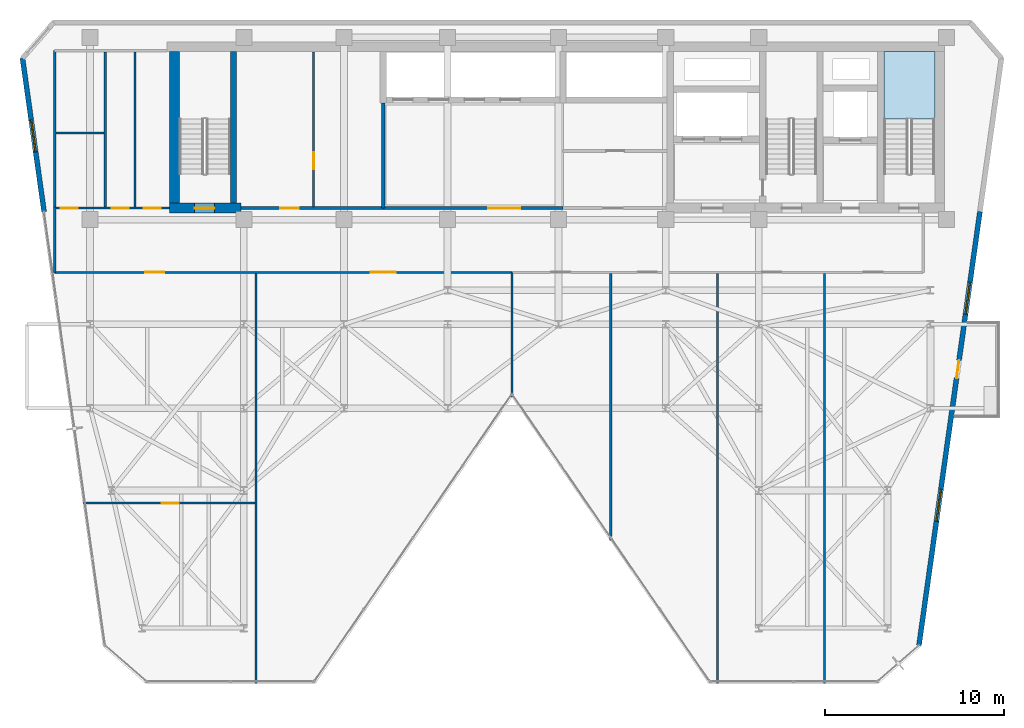
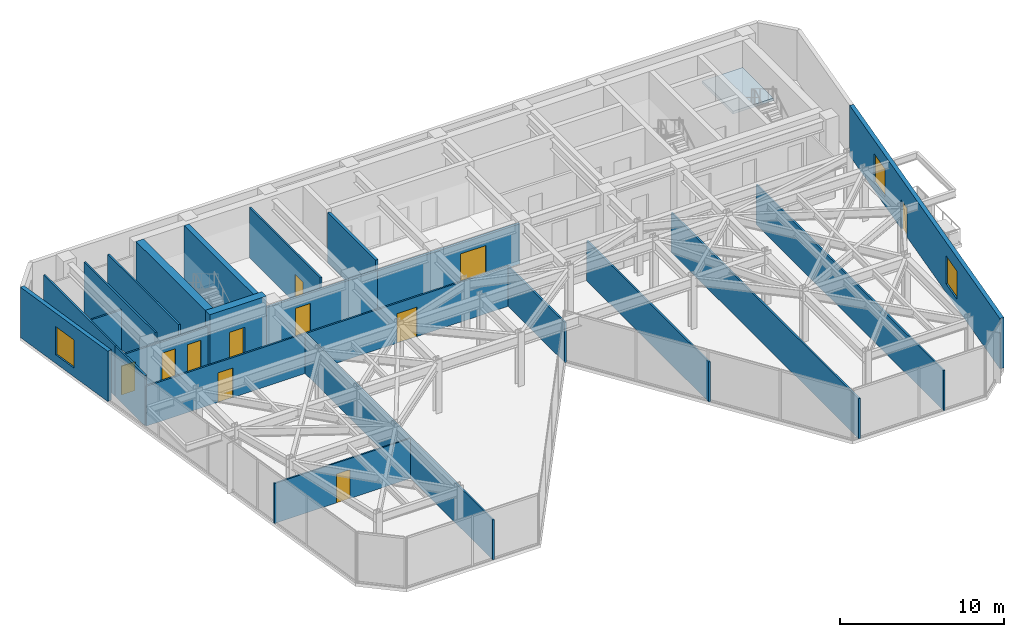
# One storey, part 22 of 26: 22 walls, 11 doors, 3 windows, 1 slab, 14 openings, 1 element without a shape of its own.
"""IFC4 building model written with IfcOpenShell, lengths in metres."""

import ifcopenshell
import ifcopenshell.guid

model = None  # the IFC model being written
_history = None  # IfcOwnerHistory: only IFC2X3 demands one
_inside = {}  # id of a spatial element -> (the spatial element, [elements in it])
_under = {}  # id of a project, library or spatial element -> (it, [spatial elements below it])
_declared = {}  # id of a project -> (the project, [libraries it declares])
_typed = {}  # id of a type object -> (the type object, [elements of that type])
_made_of = {}  # id of a material, layer set ... -> (it, [elements and type objects made of it])


def new_model(schema):
    """Start an empty IFC model of exactly this schema.

    Asked for "IFC4X3", IfcOpenShell would pick the latest addendum, in which some entities
    have other attributes; the version numbers below select the first issue.
    IFC2X3 requires an IfcOwnerHistory on every rooted entity: one is made here for all.
    """
    global model, _history
    if schema == "IFC4X3":
        model = ifcopenshell.file(schema_version=(4, 3, 0, 0))
    else:
        model = ifcopenshell.file(schema=schema)
    _inside.clear()
    _under.clear()
    _declared.clear()
    _typed.clear()
    _made_of.clear()
    _history = None
    if model.schema == "IFC2X3":
        org = make("IfcOrganization", Name="unknown")
        user = make(
            "IfcPersonAndOrganization",
            ThePerson=make("IfcPerson", FamilyName="unknown"),
            TheOrganization=org,
        )
        app = make(
            "IfcApplication",
            ApplicationDeveloper=org,
            Version="unknown",
            ApplicationFullName="unknown",
            ApplicationIdentifier="unknown",
        )
        _history = make(
            "IfcOwnerHistory",
            OwningUser=user,
            OwningApplication=app,
            ChangeAction="ADDED",
            CreationDate=0,
        )
    return model


def make(cls, **values):
    """One entity of the class cls with the attributes given. An attribute that is None is left unset."""
    return model.create_entity(
        cls, **{name: value for name, value in values.items() if value is not None}
    )


def rooted(cls, **values):
    """An entity with a GlobalId (a new one), such as an element, a storey or a relation."""
    return make(cls, GlobalId=ifcopenshell.guid.new(), OwnerHistory=_history, **values)


def si_unit(unit_type, name, prefix=None):
    """IfcSIUnit, for example si_unit("LENGTHUNIT", "METRE", prefix="MILLI")."""
    return make("IfcSIUnit", UnitType=unit_type, Prefix=prefix, Name=name)


def assignment(units):
    """IfcUnitAssignment: the units of a project."""
    return None if units is None else make("IfcUnitAssignment", Units=units)


def point(xyz):
    """IfcCartesianPoint."""
    return None if xyz is None else make("IfcCartesianPoint", Coordinates=xyz)


def direction(xyz):
    """IfcDirection."""
    return None if xyz is None else make("IfcDirection", DirectionRatios=xyz)


def frame(location, z_axis=None, x_axis=None):
    """IfcAxis2Placement3D, a coordinate frame: its origin and axes. An axis left out is left unset."""
    return make(
        "IfcAxis2Placement3D",
        Location=point(location),
        Axis=direction(z_axis),
        RefDirection=direction(x_axis),
    )


def frame_2d(location, x_axis=None):
    """IfcAxis2Placement2D, a coordinate frame in the plane: its origin and x axis."""
    return make(
        "IfcAxis2Placement2D", Location=point(location), RefDirection=direction(x_axis)
    )


def origin():
    """The frame at (0, 0, 0) with its axes left unset."""
    return frame((0.0, 0.0, 0.0))


def place(relative_to, where):
    """IfcLocalPlacement: puts the frame where relative to a parent placement (None: the world)."""
    return make(
        "IfcLocalPlacement", PlacementRelTo=relative_to, RelativePlacement=where
    )


def context(
    kind, dimensions, precision=None, world=None, true_north=None, identifier=None
):
    """IfcGeometricRepresentationContext, for example the 3D "Model" context."""
    return make(
        "IfcGeometricRepresentationContext",
        ContextIdentifier=identifier,
        ContextType=kind,
        CoordinateSpaceDimension=dimensions,
        Precision=precision,
        WorldCoordinateSystem=world,
        TrueNorth=true_north,
    )


def subcontext(parent, identifier, kind, view, scale=None):
    """IfcGeometricRepresentationSubContext, for example "Body" below "Model"."""
    return make(
        "IfcGeometricRepresentationSubContext",
        ContextIdentifier=identifier,
        ContextType=kind,
        ParentContext=parent,
        TargetScale=scale,
        TargetView=view,
    )


def project(units=None, contexts=None):
    """IfcProject with its units and contexts."""
    return rooted(
        "IfcProject",
        Name="project",
        RepresentationContexts=contexts,
        UnitsInContext=assignment(units),
    )


def spatial(cls, under=None, at=None, **own):
    """A site, building, storey or space (cls), placed at a placement, below another one or the project."""
    s = rooted(cls, ObjectPlacement=at, **own)
    if under is not None:
        _under.setdefault(under.id(), (under, []))[1].append(s)
    return s


def polyline(points):
    """IfcPolyline through the points."""
    return make("IfcPolyline", Points=[point(p) for p in points])


def profile(cls, at=None, kind="AREA", **sizes):
    """A parametric profile (cls). Its sizes go by their IFC names, for example OverallWidth=200.0."""
    return make(cls, ProfileType=kind, Position=at, **sizes)


def rectangle(**sizes):
    """IfcRectangleProfileDef."""
    return profile("IfcRectangleProfileDef", **sizes)


def outline(outer, holes=None, kind="AREA"):
    """IfcArbitraryClosedProfileDef: a profile drawn as a closed curve; with holes, ...WithVoids."""
    if holes is None:
        return make("IfcArbitraryClosedProfileDef", ProfileType=kind, OuterCurve=outer)
    return make(
        "IfcArbitraryProfileDefWithVoids",
        ProfileType=kind,
        OuterCurve=outer,
        InnerCurves=holes,
    )


def extrude(swept, where, along, depth):
    """IfcExtrudedAreaSolid: the profile swept, set in the frame where, extruded along a direction by depth."""
    return make(
        "IfcExtrudedAreaSolid",
        SweptArea=swept,
        Position=where,
        ExtrudedDirection=direction(along),
        Depth=depth,
    )


def shape(context_of_items, identifier, shape_type, items):
    """IfcShapeRepresentation: the items that make up one representation, for example the "Body"."""
    return make(
        "IfcShapeRepresentation",
        ContextOfItems=context_of_items,
        RepresentationIdentifier=identifier,
        RepresentationType=shape_type,
        Items=items,
    )


def material(Name=None, Category=None):
    """IfcMaterial."""
    return make("IfcMaterial", Name=Name, Category=Category)


def layer(
    of_material, thickness, ventilated=None, Name=None, Category=None, Priority=None
):
    """IfcMaterialLayer: one layer of a wall or slab, of a material (None: an air gap)."""
    return make(
        "IfcMaterialLayer",
        Material=of_material,
        LayerThickness=thickness,
        IsVentilated=ventilated,
        Name=Name,
        Category=Category,
        Priority=Priority,
    )


def layer_set(layers, Name=None):
    """IfcMaterialLayerSet."""
    return make("IfcMaterialLayerSet", MaterialLayers=layers, LayerSetName=Name)


def made_of(thing, what):
    """Note that an element or type object is made of a material, layer set ...; save() writes the relation."""
    if what is not None:
        _made_of.setdefault(what.id(), (what, []))[1].append(thing)
    return thing


def type_object(cls, material=None, **own):
    """A type object (cls), such as IfcWallType, which elements share."""
    return made_of(rooted(cls, **own), material)


def element(
    cls,
    number,
    at=None,
    inside=None,
    cuts=None,
    type_object=None,
    material=None,
    context=None,
    identifier="Body",
    shape_type=None,
    held_by="IfcProductDefinitionShape",
    body=None,
    shapes=None,
    **own,
):
    """One element of the class cls, such as IfcWall. Its Tag is "e" and its number.

    at: its placement. inside: the storey or other place that contains it. cuts: it is an
    opening in that element (IfcRelVoidsElement). A single representation is given by context,
    identifier, shape_type and body (its items); several are given by shapes. held_by: the class
    of the entity that holds the representations. save() writes the other relations.
    """
    e = rooted(cls, Tag="e%d" % number, ObjectPlacement=at, **own)
    if body is not None:
        shapes = [shape(context, identifier, shape_type, body)]
    if shapes is not None:
        e.Representation = make(held_by, Representations=shapes)
    if inside is not None:
        _inside.setdefault(inside.id(), (inside, []))[1].append(e)
    if cuts is not None:
        rooted(
            "IfcRelVoidsElement", RelatingBuildingElement=cuts, RelatedOpeningElement=e
        )
    if type_object is not None:
        _typed.setdefault(type_object.id(), (type_object, []))[1].append(e)
    return made_of(e, material)


def fill(opening, filler):
    """IfcRelFillsElement: the door or window that sits in an opening."""
    return rooted(
        "IfcRelFillsElement",
        RelatingOpeningElement=opening,
        RelatedBuildingElement=filler,
    )


def aggregate(whole, parts):
    """IfcRelAggregates: a whole, such as a stair, and the parts it consists of."""
    return rooted("IfcRelAggregates", RelatingObject=whole, RelatedObjects=parts)


def save(model, path):
    """Write the relations noted so far, then the file.

    IfcRelAggregates (storeys below a building ...), IfcRelContainedInSpatialStructure (elements
    in a storey), IfcRelDefinesByType, IfcRelAssociatesMaterial and IfcRelDeclares: one each for
    every whole, place, type object, material and project.
    """
    for whole, parts in _under.values():
        aggregate(whole, parts)
    for where, things in _inside.values():
        rooted(
            "IfcRelContainedInSpatialStructure",
            RelatedElements=things,
            RelatingStructure=where,
        )
    for kind, things in _typed.values():
        rooted("IfcRelDefinesByType", RelatedObjects=things, RelatingType=kind)
    for what, things in _made_of.values():
        rooted("IfcRelAssociatesMaterial", RelatedObjects=things, RelatingMaterial=what)
    for by, libraries in _declared.values():
        rooted("IfcRelDeclares", RelatingContext=by, RelatedDefinitions=libraries)
    model.write(path)


model = new_model("IFC4")

# Units and contexts
model_context = context("Model", 3, precision=1e-05, world=origin(), true_north=direction((0.0, 1.0)))
body_context = subcontext(model_context, "Body", "Model", "MODEL_VIEW")
ifc_project = project(units=[si_unit("LENGTHUNIT", "METRE"), si_unit("AREAUNIT", "SQUARE_METRE"), si_unit("VOLUMEUNIT", "CUBIC_METRE"), si_unit("PLANEANGLEUNIT", "RADIAN"), si_unit("MASSUNIT", "GRAM", prefix="KILO")], contexts=[model_context])

# Site, building, storey
site_placement = place(None, origin())
site = spatial("IfcSite", under=ifc_project, at=site_placement, CompositionType="ELEMENT")
building_placement = place(site_placement, origin())
building = spatial("IfcBuilding", under=site, at=building_placement, Name="Kravanh Interchange Tower", CompositionType="ELEMENT")
storey_placement = place(building_placement, frame((0.0, 0.0, 172.5)))
storey = spatial("IfcBuildingStorey", under=building, at=storey_placement, Name="L41", CompositionType="ELEMENT", Elevation=172.5)

# Stair, slab
ifc_material_1 = material(Name="Concrete C50/60", Category="concrete")
stair_type = type_object("IfcStairType", Name="Core Fire Exit Dogleg Stair Concrete C50/60", PredefinedType="HALF_TURN_STAIR", material=ifc_material_1)
stair_placement = place(storey_placement, origin())
stair = element("IfcStair", 1, at=stair_placement, inside=storey, type_object=stair_type, Name="L41 Exit Stair ST1", PredefinedType="HALF_TURN_STAIR")
ifc_material_2 = material(Name="Concrete C50/60", Category="concrete")
ifc_layer_1 = layer(ifc_material_2, 0.199951171875)
ifc_layer_set_1 = layer_set([ifc_layer_1], Name="Concrete C50/60 Stair Half-Landing Slab 200mm")
slab_type = type_object("IfcSlabType", Name="Concrete C50/60 Stair Half-Landing Slab 200mm", PredefinedType="LANDING", material=ifc_layer_set_1)
slab_placement = place(storey_placement, frame((0.0, 0.0, 1.800048828125)))
slab = element("IfcSlab", 2, at=slab_placement, type_object=slab_type, Name="ST1 landing 1", PredefinedType="LANDING", context=body_context, shape_type="SweptSolid", body=[
    extrude(outline(polyline([(65.85009765625, 42.97998046875), (65.85009765625, 46.75), (63.0, 46.75), (63.0, 42.97998046875), (65.85009765625, 42.97998046875)])), origin(), (0.0, 0.0, 1.0), 0.199951171875),
])
aggregate(stair, [slab])

# Wall, opening, door
ifc_material_3 = material(Name="Double Acoustic Gypsum Board and Mineral Wool")
ifc_layer_2 = layer(ifc_material_3, 0.1201171875)
ifc_layer_set_2 = layer_set([ifc_layer_2], Name="Acoustic Office Drywall Partition 120mm")
wall_type_1 = type_object("IfcWallType", Name="Acoustic Office Drywall Partition 120mm", PredefinedType="PARTITIONING", material=ifc_layer_set_2)
wall_1_placement = place(storey_placement, frame((31.10009765625, 38.068115234375, 0.0), z_axis=(0.0, 0.0, 1.0), x_axis=(0.0, 1.0, 0.0)))
wall_1 = element("IfcWall", 3, at=wall_1_placement, inside=storey, type_object=wall_type_1, Name="L41 Interior Partition 5", PredefinedType="PARTITIONING", context=body_context, shape_type="SweptSolid", body=[
    extrude(rectangle(XDim=8.673828125, YDim=0.1201171875, at=frame_2d((4.3369140625, 0.0))), origin(), (0.0, 0.0, 1.0), 3.7548828125),
])
opening_1_placement = place(wall_1_placement, frame((2.115966796875, 0.0, 0.0)))
opening_1 = element("IfcOpeningElement", 4, at=opening_1_placement, cuts=wall_1, Name="Opening D-95", PredefinedType="OPENING", context=body_context, shape_type="SweptSolid", body=[
    extrude(rectangle(XDim=0.949951171875, YDim=2.14990234375, at=frame_2d((0.47509765625, 1.074951171875))), frame((0.0, 0.070068359375, 0.0), z_axis=(0.0, -1.0, 0.0), x_axis=(1.0, 0.0, 0.0)), (0.0, 0.0, 1.0), 0.14013671875),
])
ifc_material_4 = material(Name="Laminate Solid-Core Timber", Category="wood")
door_type_1 = type_object("IfcDoorType", Name="Accessible Restroom Door 950x2150", OperationType="NOTDEFINED", PredefinedType="DOOR", material=ifc_material_4)
door_1_placement = place(opening_1_placement, origin())
door_1 = element("IfcDoor", 5, at=door_1_placement, inside=storey, type_object=door_type_1, Name="L41 Reclaimed Archive Inner Door", OperationType="SINGLE_SWING_LEFT", OverallHeight=2.14990234375, OverallWidth=0.949951171875, PredefinedType="DOOR", context=body_context, shape_type="SweptSolid", body=[
    extrude(rectangle(XDim=0.949951171875, YDim=2.14990234375, at=frame_2d((0.47509765625, 1.074951171875))), frame((0.0, 0.02490234375, 0.0), z_axis=(0.0, -1.0, 0.0), x_axis=(1.0, 0.0, 0.0)), (0.0, 0.0, 1.0), 0.050048828125),
])
fill(opening_1, door_1)

# Wall, openings, doors
wall_2_placement = place(storey_placement, frame((16.6201171875, 38.0, 0.0), z_axis=(0.0, 0.0, 1.0), x_axis=(1.0, 0.0, 0.0)))
wall_2 = element("IfcWall", 6, at=wall_2_placement, inside=storey, type_object=wall_type_1, Name="L41 Restroom Corridor Wall 7", PredefinedType="PARTITIONING", context=body_context, shape_type="SweptSolid", body=[
    extrude(rectangle(XDim=6.429931640625, YDim=0.1201171875, at=frame_2d((3.21484375, 0.0))), origin(), (0.0, 0.0, 1.0), 2.98193359375),
])
opening_2_placement = place(wall_2_placement, frame((0.348876953125, 0.0, 0.0)))
opening_2 = element("IfcOpeningElement", 7, at=opening_2_placement, cuts=wall_2, Name="Opening D-95", PredefinedType="OPENING", context=body_context, shape_type="SweptSolid", body=[
    extrude(rectangle(XDim=0.949951171875, YDim=2.14990234375, at=frame_2d((0.47509765625, 1.074951171875))), frame((0.0, 0.070068359375, 0.0), z_axis=(0.0, -1.0, 0.0), x_axis=(1.0, 0.0, 0.0)), (0.0, 0.0, 1.0), 0.14013671875),
])
opening_3_placement = place(wall_2_placement, frame((3.18505859375, 0.0, 0.0)))
opening_3 = element("IfcOpeningElement", 8, at=opening_3_placement, cuts=wall_2, Name="Opening D-95", PredefinedType="OPENING", context=body_context, shape_type="SweptSolid", body=[
    extrude(rectangle(XDim=0.949951171875, YDim=2.14990234375, at=frame_2d((0.47509765625, 1.074951171875))), frame((0.0, 0.070068359375, 0.0), z_axis=(0.0, -1.0, 0.0), x_axis=(1.0, 0.0, 0.0)), (0.0, 0.0, 1.0), 0.14013671875),
])
opening_4_placement = place(wall_2_placement, frame((4.97509765625, 0.0, 0.0)))
opening_4 = element("IfcOpeningElement", 9, at=opening_4_placement, cuts=wall_2, Name="Opening D-95", PredefinedType="OPENING", context=body_context, shape_type="SweptSolid", body=[
    extrude(rectangle(XDim=0.949951171875, YDim=2.14990234375, at=frame_2d((0.47509765625, 1.074951171875))), frame((0.0, 0.070068359375, 0.0), z_axis=(0.0, -1.0, 0.0), x_axis=(1.0, 0.0, 0.0)), (0.0, 0.0, 1.0), 0.14013671875),
])
door_2_placement = place(opening_2_placement, origin())
door_2 = element("IfcDoor", 10, at=door_2_placement, inside=storey, type_object=door_type_1, Name="L41 Accessible WC Door", OperationType="SINGLE_SWING_RIGHT", OverallHeight=2.14990234375, OverallWidth=0.949951171875, PredefinedType="DOOR", context=body_context, shape_type="SweptSolid", body=[
    extrude(rectangle(XDim=0.949951171875, YDim=2.14990234375, at=frame_2d((0.47509765625, 1.074951171875))), frame((0.0, 0.02490234375, 0.0), z_axis=(0.0, -1.0, 0.0), x_axis=(1.0, 0.0, 0.0)), (0.0, 0.0, 1.0), 0.050048828125),
])
fill(opening_2, door_2)
door_3_placement = place(opening_3_placement, origin())
door_3 = element("IfcDoor", 11, at=door_3_placement, inside=storey, type_object=door_type_1, Name="L41 Female WC Door", OperationType="SINGLE_SWING_LEFT", OverallHeight=2.14990234375, OverallWidth=0.949951171875, PredefinedType="DOOR", context=body_context, shape_type="SweptSolid", body=[
    extrude(rectangle(XDim=0.949951171875, YDim=2.14990234375, at=frame_2d((0.47509765625, 1.074951171875))), frame((0.0, 0.02490234375, 0.0), z_axis=(0.0, -1.0, 0.0), x_axis=(1.0, 0.0, 0.0)), (0.0, 0.0, 1.0), 0.050048828125),
])
fill(opening_3, door_3)
door_4_placement = place(opening_4_placement, origin())
door_4 = element("IfcDoor", 12, at=door_4_placement, inside=storey, type_object=door_type_1, Name="L41 Male WC Door", OperationType="SINGLE_SWING_RIGHT", OverallHeight=2.14990234375, OverallWidth=0.949951171875, PredefinedType="DOOR", context=body_context, shape_type="SweptSolid", body=[
    extrude(rectangle(XDim=0.949951171875, YDim=2.14990234375, at=frame_2d((0.47509765625, 1.074951171875))), frame((0.0, 0.02490234375, 0.0), z_axis=(0.0, -1.0, 0.0), x_axis=(1.0, 0.0, 0.0)), (0.0, 0.0, 1.0), 0.050048828125),
])
fill(opening_4, door_4)

# Walls
wall_3_placement = place(storey_placement, frame((16.6201171875, 38.0, 0.0), z_axis=(0.0, 0.0, 1.0), x_axis=(0.0, 1.0, 0.0)))
element("IfcWall", 13, at=wall_3_placement, inside=storey, type_object=wall_type_1, Name="L41 Restroom West Enclosure 8", PredefinedType="PARTITIONING", context=body_context, shape_type="SweptSolid", body=[
    extrude(rectangle(XDim=8.800048828125, YDim=0.1201171875, at=frame_2d((4.39990234375, 0.0))), origin(), (0.0, 0.0, 1.0), 3.7548828125),
])
for number, where, z_axis, x_axis, name in (
    (14, (19.449951171875, 38.068115234375, 0.0), (0.0, 0.0, 1.0), (0.0, 1.0, 0.0), "L41 Interior Partition 10"),
    (15, (21.110107421875, 38.068115234375, 0.0), (0.0, 0.0, 1.0), (0.0, 1.0, 0.0), "L41 Interior Partition 11"),
):
    element("IfcWall", number, at=place(storey_placement, frame(where, z_axis=z_axis, x_axis=x_axis)), inside=storey, type_object=wall_type_1, Name=name, PredefinedType="PARTITIONING", context=body_context, shape_type="SweptSolid", body=[
        extrude(rectangle(XDim=8.663818359375, YDim=0.1201171875, at=frame_2d((4.33203125, 0.0))), origin(), (0.0, 0.0, 1.0), 3.7548828125),
    ])
wall_4_placement = place(storey_placement, frame((16.68798828125, 42.199951171875, 0.0), z_axis=(0.0, 0.0, 1.0), x_axis=(1.0, 0.0, 0.0)))
element("IfcWall", 16, at=wall_4_placement, inside=storey, type_object=wall_type_1, Name="L41 Interior Partition 12", PredefinedType="PARTITIONING", context=body_context, shape_type="SweptSolid", body=[
    extrude(rectangle(XDim=2.694091796875, YDim=0.1201171875, at=frame_2d((1.34716796875, 0.0))), origin(), (0.0, 0.0, 1.0), 2.98193359375),
])

# Wall, openings, doors
wall_5_placement = place(storey_placement, frame((16.6201171875, 34.39990234375, 0.0), z_axis=(0.0, 0.0, 1.0), x_axis=(1.0, 0.0, 0.0)))
wall_5 = element("IfcWall", 17, at=wall_5_placement, inside=storey, type_object=wall_type_1, Name="L41 Interior Partition 13", PredefinedType="PARTITIONING", context=body_context, shape_type="SweptSolid", body=[
    extrude(rectangle(XDim=25.579833984375, YDim=0.1201171875, at=frame_2d((12.7900390625, 0.0))), origin(), (0.0, 0.0, 1.0), 2.98193359375),
])
opening_5_placement = place(wall_5_placement, frame((5.06494140625, 0.0, 0.0)))
opening_5 = element("IfcOpeningElement", 18, at=opening_5_placement, cuts=wall_5, Name="Opening D-105", PredefinedType="OPENING", context=body_context, shape_type="SweptSolid", body=[
    extrude(rectangle(XDim=1.050048828125, YDim=2.199951171875, at=frame_2d((0.52490234375, 1.10009765625))), frame((0.0, 0.070068359375, 0.0), z_axis=(0.0, -1.0, 0.0), x_axis=(1.0, 0.0, 0.0)), (0.0, 0.0, 1.0), 0.14013671875),
])
opening_6_placement = place(wall_5_placement, frame((17.679931640625, 0.0, 0.0)))
opening_6 = element("IfcOpeningElement", 19, at=opening_6_placement, cuts=wall_5, Name="Opening DBL-140", PredefinedType="OPENING", context=body_context, shape_type="SweptSolid", body=[
    extrude(rectangle(XDim=1.39990234375, YDim=2.199951171875, at=frame_2d((0.699951171875, 1.10009765625))), frame((0.0, 0.070068359375, 0.0), z_axis=(0.0, -1.0, 0.0), x_axis=(1.0, 0.0, 0.0)), (0.0, 0.0, 1.0), 0.14013671875),
])
ifc_material_5 = material(Name="Acoustic Bronze-Framed Glass", Category="glass")
door_type_2 = type_object("IfcDoorType", Name="Hospitality Lounge Double Door 1400x2200", OperationType="DOUBLE_DOOR_SINGLE_SWING", PredefinedType="DOOR", material=ifc_material_5)
door_5_placement = place(opening_6_placement, origin())
door_5 = element("IfcDoor", 20, at=door_5_placement, inside=storey, type_object=door_type_2, Name="L41 Econometric Study A Door", OperationType="DOUBLE_DOOR_SINGLE_SWING", OverallHeight=2.199951171875, OverallWidth=1.39990234375, PredefinedType="DOOR", context=body_context, shape_type="SweptSolid", body=[
    extrude(rectangle(XDim=1.39990234375, YDim=2.199951171875, at=frame_2d((0.699951171875, 1.10009765625))), frame((0.0, 0.02490234375, 0.0), z_axis=(0.0, -1.0, 0.0), x_axis=(1.0, 0.0, 0.0)), (0.0, 0.0, 1.0), 0.050048828125),
])
fill(opening_6, door_5)
ifc_material_6 = material(Name="Acoustic Glazed Oak and Aluminium", Category="aluminium")
door_type_3 = type_object("IfcDoorType", Name="Office Workplace Door 1050x2200", OperationType="NOTDEFINED", PredefinedType="DOOR", material=ifc_material_6)
door_6_placement = place(opening_5_placement, origin())
door_6 = element("IfcDoor", 21, at=door_6_placement, inside=storey, type_object=door_type_3, Name="L41 West Salon Lounge Door", OperationType="SINGLE_SWING_LEFT", OverallHeight=2.199951171875, OverallWidth=1.050048828125, PredefinedType="DOOR", context=body_context, shape_type="SweptSolid", body=[
    extrude(rectangle(XDim=1.050048828125, YDim=2.199951171875, at=frame_2d((0.52490234375, 1.10009765625))), frame((0.0, 0.02490234375, 0.0), z_axis=(0.0, -1.0, 0.0), x_axis=(1.0, 0.0, 0.0)), (0.0, 0.0, 1.0), 0.050048828125),
])
fill(opening_5, door_6)

# Walls
wall_6_placement = place(storey_placement, frame((16.6201171875, 34.39990234375, 0.0), z_axis=(0.0, 0.0, 1.0), x_axis=(0.0, 1.0, 0.0)))
element("IfcWall", 22, at=wall_6_placement, inside=storey, type_object=wall_type_1, Name="L41 Interior Partition 15", PredefinedType="PARTITIONING", context=body_context, shape_type="SweptSolid", body=[
    extrude(rectangle(XDim=3.650146484375, YDim=0.1201171875, at=frame_2d((1.8251953125, 0.0))), origin(), (0.0, 0.0, 1.0), 3.7548828125),
])
wall_7_placement = place(storey_placement, frame((42.199951171875, 27.426513671875, 0.0), z_axis=(0.0, 0.0, 1.0), x_axis=(0.0, 1.0, 0.0)))
element("IfcWall", 23, at=wall_7_placement, inside=storey, type_object=wall_type_1, Name="L41 Interior Partition 17", PredefinedType="PARTITIONING", context=body_context, shape_type="SweptSolid", body=[
    extrude(rectangle(XDim=6.973388671875, YDim=0.1201171875, at=frame_2d((3.48681640625, 0.0))), origin(), (0.0, 0.0, 1.0), 2.98193359375),
])
wall_8_placement = place(storey_placement, frame((27.8798828125, 11.4150390625, 0.0), z_axis=(0.0, 0.0, 1.0), x_axis=(0.0, 1.0, 0.0)))
element("IfcWall", 24, at=wall_8_placement, inside=storey, type_object=wall_type_1, Name="L41 Interior Partition 19", PredefinedType="PARTITIONING", context=body_context, shape_type="SweptSolid", body=[
    extrude(rectangle(XDim=22.9169921875, YDim=0.1201171875, at=frame_2d((11.45849609375, 0.0))), origin(), (0.0, 0.0, 1.0), 2.98193359375),
])
wall_9_placement = place(storey_placement, frame((47.719970703125, 19.3974609375, 0.0), z_axis=(0.0, 0.0, 1.0), x_axis=(0.0, 1.0, 0.0)))
element("IfcWall", 25, at=wall_9_placement, inside=storey, type_object=wall_type_1, Name="L41 Interior Partition 20", PredefinedType="PARTITIONING", context=body_context, shape_type="SweptSolid", body=[
    extrude(rectangle(XDim=14.9345703125, YDim=0.1201171875, at=frame_2d((7.46728515625, 0.0))), origin(), (0.0, 0.0, 1.0), 2.98193359375),
])
for number, where, z_axis, x_axis, name in (
    (26, (53.699951171875, 11.4150390625, 0.0), (0.0, 0.0, 1.0), (0.0, 1.0, 0.0), "L41 Interior Partition 21"),
    (27, (59.679931640625, 11.4150390625, 0.0), (0.0, 0.0, 1.0), (0.0, 1.0, 0.0), "L41 Interior Partition 22"),
):
    element("IfcWall", number, at=place(storey_placement, frame(where, z_axis=z_axis, x_axis=x_axis)), inside=storey, type_object=wall_type_1, Name=name, PredefinedType="PARTITIONING", context=body_context, shape_type="SweptSolid", body=[
        extrude(rectangle(XDim=22.9169921875, YDim=0.1201171875, at=frame_2d((11.45849609375, 0.0))), origin(), (0.0, 0.0, 1.0), 2.98193359375),
    ])
ifc_material_7 = material(Name="Concrete C60/75", Category="concrete")
ifc_layer_3 = layer(ifc_material_7, 0.35009765625)
ifc_layer_set_3 = layer_set([ifc_layer_3], Name="Core Shear Wall Concrete C60/75 350mm")
wall_type_2 = type_object("IfcWallType", Name="Core Shear Wall Concrete C60/75 350mm", PredefinedType="SHEAR", material=ifc_layer_set_3)
wall_10_placement = place(storey_placement, frame((26.625, 38.27490234375, 0.0), z_axis=(0.0, 0.0, 1.0), x_axis=(0.0, 1.0, 0.0)))
element("IfcWall", 28, at=wall_10_placement, inside=storey, type_object=wall_type_2, Name="L41 Stair ST3 East Shear Wall", PredefinedType="SHEAR", context=body_context, shape_type="SweptSolid", body=[
    extrude(rectangle(XDim=8.47509765625, YDim=0.35009765625, at=frame_2d((4.237548828125, 0.0))), origin(), (0.0, 0.0, 1.0), 4.0),
])

# Wall, opening, door
ifc_material_8 = material(Name="Concrete C70/85", Category="concrete")
ifc_layer_4 = layer(ifc_material_8, 0.550048828125)
ifc_layer_set_4 = layer_set([ifc_layer_4], Name="Core Shear Wall Concrete C70/85 550mm")
wall_type_3 = type_object("IfcWallType", Name="Core Shear Wall Concrete C70/85 550mm", PredefinedType="SHEAR", material=ifc_layer_set_4)
wall_11_placement = place(storey_placement, frame((23.050048828125, 38.0, 0.0), z_axis=(0.0, 0.0, 1.0), x_axis=(1.0, 0.0, 0.0)))
wall_11 = element("IfcWall", 29, at=wall_11_placement, inside=storey, type_object=wall_type_3, Name="L41 Stair ST3 South Shear Wall", PredefinedType="SHEAR", context=body_context, shape_type="SweptSolid", body=[
    extrude(rectangle(XDim=4.0, YDim=0.550048828125, at=frame_2d((2.0, 0.0))), origin(), (0.0, 0.0, 1.0), 4.0),
])
opening_7_placement = place(wall_11_placement, frame((1.39990234375, 0.0, 0.0)))
opening_7 = element("IfcOpeningElement", 30, at=opening_7_placement, cuts=wall_11, Name="Opening D-STAIR-110", PredefinedType="OPENING", context=body_context, shape_type="SweptSolid", body=[
    extrude(rectangle(XDim=1.10009765625, YDim=2.199951171875, at=frame_2d((0.550048828125, 1.10009765625))), frame((0.0, 0.28515625, 0.0), z_axis=(0.0, -1.0, 0.0), x_axis=(1.0, 0.0, 0.0)), (0.0, 0.0, 1.0), 0.570068359375),
])
ifc_material_9 = material(Name="Structural Steel S355", Category="steel")
door_type_4 = type_object("IfcDoorType", Name="Fire-Rated Exit Stair Door 1100x2200", OperationType="NOTDEFINED", PredefinedType="DOOR", material=ifc_material_9)
door_7_placement = place(opening_7_placement, origin())
door_7 = element("IfcDoor", 31, at=door_7_placement, inside=storey, type_object=door_type_4, Name="L41 Exit Stair ST3 Door", OperationType="SINGLE_SWING_RIGHT", OverallHeight=2.199951171875, OverallWidth=1.10009765625, PredefinedType="DOOR", context=body_context, shape_type="SweptSolid", body=[
    extrude(rectangle(XDim=1.10009765625, YDim=2.199951171875, at=frame_2d((0.550048828125, 1.10009765625))), frame((0.0, 0.02490234375, 0.0), z_axis=(0.0, -1.0, 0.0), x_axis=(1.0, 0.0, 0.0)), (0.0, 0.0, 1.0), 0.050048828125),
])
fill(opening_7, door_7)

# Wall
wall_12_placement = place(storey_placement, frame((23.324951171875, 38.27490234375, 0.0), z_axis=(0.0, 0.0, 1.0), x_axis=(0.0, 1.0, 0.0)))
element("IfcWall", 32, at=wall_12_placement, inside=storey, type_object=wall_type_3, Name="L41 Stair ST3 West Shear Wall", PredefinedType="SHEAR", context=body_context, shape_type="SweptSolid", body=[
    extrude(rectangle(XDim=8.47509765625, YDim=0.550048828125, at=frame_2d((4.237548828125, 0.0))), origin(), (0.0, 0.0, 1.0), 4.0),
])

# Wall, opening, door
ifc_material_10 = material(Name="Moisture-Resistant Gypsum Board and Mineral Wool")
ifc_layer_5 = layer(ifc_material_10, 0.10009765625)
ifc_layer_set_5 = layer_set([ifc_layer_5], Name="En-Suite Moisture-Resistant Partition 100mm")
wall_type_4 = type_object("IfcWallType", Name="En-Suite Moisture-Resistant Partition 100mm", PredefinedType="PARTITIONING", material=ifc_layer_set_5)
wall_13_placement = place(storey_placement, frame((18.209716796875, 21.5, 0.0), z_axis=(0.0, 0.0, 1.0), x_axis=(1.0, 0.0, 0.0)))
wall_13 = element("IfcWall", 33, at=wall_13_placement, inside=storey, type_object=wall_type_4, Name="L41 Interior Partition 18", PredefinedType="PARTITIONING", context=body_context, shape_type="SweptSolid", body=[
    extrude(rectangle(XDim=9.602294921875, YDim=0.10009765625, at=frame_2d((4.80126953125, 0.0))), origin(), (0.0, 0.0, 1.0), 2.98193359375),
])
opening_8_placement = place(wall_13_placement, frame((4.400146484375, 0.0, 0.0)))
opening_8 = element("IfcOpeningElement", 34, at=opening_8_placement, cuts=wall_13, Name="Opening D-95", PredefinedType="OPENING", context=body_context, shape_type="SweptSolid", body=[
    extrude(rectangle(XDim=0.949951171875, YDim=2.14990234375, at=frame_2d((0.47509765625, 1.074951171875))), frame((0.0, 0.06005859375, 0.0), z_axis=(0.0, -1.0, 0.0), x_axis=(1.0, 0.0, 0.0)), (0.0, 0.0, 1.0), 0.1201171875),
])
door_8_placement = place(opening_8_placement, origin())
door_8 = element("IfcDoor", 35, at=door_8_placement, inside=storey, type_object=door_type_1, Name="L41 Coffee Kitchenette Inner Door", OperationType="SINGLE_SWING_RIGHT", OverallHeight=2.14990234375, OverallWidth=0.949951171875, PredefinedType="DOOR", context=body_context, shape_type="SweptSolid", body=[
    extrude(rectangle(XDim=0.949951171875, YDim=2.14990234375, at=frame_2d((0.47509765625, 1.074951171875))), frame((0.0, 0.02490234375, 0.0), z_axis=(0.0, -1.0, 0.0), x_axis=(1.0, 0.0, 0.0)), (0.0, 0.0, 1.0), 0.050048828125),
])
fill(opening_8, door_8)

# Wall, opening, window
ifc_material_11 = material(Name="Insulated Precast Concrete C40/50 with Bronze Cladding", Category="concrete")
ifc_layer_6 = layer(ifc_material_11, 0.280029296875)
ifc_layer_set_6 = layer_set([ifc_layer_6], Name="Exterior Insulated Concrete C40/50 Bronze Spandrel Wall 280mm")
wall_type_5 = type_object("IfcWallType", Name="Exterior Insulated Concrete C40/50 Bronze Spandrel Wall 280mm", PredefinedType="STANDARD", material=ifc_layer_set_6)
wall_14_placement = place(storey_placement, frame((16.02490234375, 37.800048828125, 0.0), z_axis=(0.0, 0.0, 1.0), x_axis=(-0.13918102754, 0.990266954701, 0.0)))
wall_14 = element("IfcWall", 36, at=wall_14_placement, inside=storey, type_object=wall_type_5, Name="L41 Exterior Wall 1", PredefinedType="STANDARD", context=body_context, shape_type="SweptSolid", body=[
    extrude(rectangle(XDim=8.667236328125, YDim=0.280029296875, at=frame_2d((4.33349609375, 0.0))), origin(), (0.0, 0.0, 1.0), 3.7548828125),
])
opening_9_placement = place(wall_14_placement, frame((3.37353515625, 0.0, 0.64990234375)))
opening_9 = element("IfcOpeningElement", 37, at=opening_9_placement, cuts=wall_14, Name="Opening WN-180X210", PredefinedType="OPENING", context=body_context, shape_type="SweptSolid", body=[
    extrude(rectangle(XDim=1.800048828125, YDim=2.10009765625, at=frame_2d((0.89990234375, 1.050048828125))), frame((0.0, 0.14990234375, 0.0), z_axis=(0.0, -1.0, 0.0), x_axis=(1.0, 0.0, 0.0)), (0.0, 0.0, 1.0), 0.300048828125),
])
ifc_material_12 = material(Name="Thermally Broken Bronze Aluminium and Low-E Glass", Category="aluminium")
window_type = type_object("IfcWindowType", Name="Tower Pier Window 1800x2100", PartitioningType="SINGLE_PANEL", PredefinedType="WINDOW", material=ifc_material_12)
window_1_placement = place(opening_9_placement, origin())
window_1 = element("IfcWindow", 38, at=window_1_placement, inside=storey, type_object=window_type, Name="L41 Corner Window 1", OverallHeight=2.10009765625, OverallWidth=1.800048828125, PartitioningType="SINGLE_PANEL", PredefinedType="WINDOW", context=body_context, shape_type="SweptSolid", body=[
    extrude(rectangle(XDim=1.800048828125, YDim=2.10009765625, at=frame_2d((0.89990234375, 1.050048828125))), frame((0.0, 0.030029296875, 0.0), z_axis=(0.0, -1.0, 0.0), x_axis=(1.0, 0.0, 0.0)), (0.0, 0.0, 1.0), 0.06005859375),
])
fill(opening_9, window_1)

# Wall, openings, door, windows
wall_15_placement = place(storey_placement, frame((68.375, 37.800048828125, 0.0), z_axis=(0.0, 0.0, 1.0), x_axis=(-0.139173290738, -0.99026804207, 0.0)))
wall_15 = element("IfcWall", 39, at=wall_15_placement, inside=storey, type_object=wall_type_5, Name="L41 Exterior Wall 6", PredefinedType="STANDARD", context=body_context, shape_type="SweptSolid", body=[
    extrude(rectangle(XDim=24.497802734375, YDim=0.280029296875, at=frame_2d((12.2490234375, 0.0))), origin(), (0.0, 0.0, 1.0), 3.7548828125),
])
opening_10_placement = place(wall_15_placement, frame((8.39990234375, 0.0, 0.0)))
opening_10 = element("IfcOpeningElement", 40, at=opening_10_placement, cuts=wall_15, Name="Opening ED-BAL100", PredefinedType="OPENING", context=body_context, shape_type="SweptSolid", body=[
    extrude(rectangle(XDim=1.0, YDim=2.14990234375, at=frame_2d((0.5, 1.074951171875))), frame((0.0, 0.14990234375, 0.0), z_axis=(0.0, -1.0, 0.0), x_axis=(1.0, 0.0, 0.0)), (0.0, 0.0, 1.0), 0.300048828125),
])
opening_11_placement = place(wall_15_placement, frame((3.98974609375, 0.0, 0.64990234375)))
opening_11 = element("IfcOpeningElement", 41, at=opening_11_placement, cuts=wall_15, Name="Opening WN-180X210", PredefinedType="OPENING", context=body_context, shape_type="SweptSolid", body=[
    extrude(rectangle(XDim=1.800048828125, YDim=2.10009765625, at=frame_2d((0.89990234375, 1.050048828125))), frame((0.0, 0.14990234375, 0.0), z_axis=(0.0, -1.0, 0.0), x_axis=(1.0, 0.0, 0.0)), (0.0, 0.0, 1.0), 0.300048828125),
])
opening_12_placement = place(wall_15_placement, frame((15.69189453125, 0.0, 0.64990234375)))
opening_12 = element("IfcOpeningElement", 42, at=opening_12_placement, cuts=wall_15, Name="Opening WN-180X210", PredefinedType="OPENING", context=body_context, shape_type="SweptSolid", body=[
    extrude(rectangle(XDim=1.800048828125, YDim=2.10009765625, at=frame_2d((0.89990234375, 1.050048828125))), frame((0.0, 0.14990234375, 0.0), z_axis=(0.0, -1.0, 0.0), x_axis=(1.0, 0.0, 0.0)), (0.0, 0.0, 1.0), 0.300048828125),
])
ifc_material_13 = material(Name="Thermally Broken Bronze Aluminium and Laminated Glass", Category="aluminium")
door_type_5 = type_object("IfcDoorType", Name="Balcony Glazed Door 1000x2150", OperationType="NOTDEFINED", PredefinedType="DOOR", material=ifc_material_13)
door_9_placement = place(opening_10_placement, origin())
door_9 = element("IfcDoor", 43, at=door_9_placement, inside=storey, type_object=door_type_5, Name="L41 E Tree Balcony Access Door", OperationType="SINGLE_SWING_RIGHT", OverallHeight=2.14990234375, OverallWidth=1.0, PredefinedType="DOOR", context=body_context, shape_type="SweptSolid", body=[
    extrude(rectangle(XDim=1.0, YDim=2.14990234375, at=frame_2d((0.5, 1.074951171875))), frame((0.0, 0.02490234375, 0.0), z_axis=(0.0, -1.0, 0.0), x_axis=(1.0, 0.0, 0.0)), (0.0, 0.0, 1.0), 0.050048828125),
])
fill(opening_10, door_9)
window_2_placement = place(opening_11_placement, origin())
window_2 = element("IfcWindow", 44, at=window_2_placement, inside=storey, type_object=window_type, Name="L41 Facade Window 6A", OverallHeight=2.10009765625, OverallWidth=1.800048828125, PartitioningType="SINGLE_PANEL", PredefinedType="WINDOW", context=body_context, shape_type="SweptSolid", body=[
    extrude(rectangle(XDim=1.800048828125, YDim=2.10009765625, at=frame_2d((0.89990234375, 1.050048828125))), frame((0.0, 0.030029296875, 0.0), z_axis=(0.0, -1.0, 0.0), x_axis=(1.0, 0.0, 0.0)), (0.0, 0.0, 1.0), 0.06005859375),
])
fill(opening_11, window_2)
window_3_placement = place(opening_12_placement, origin())
window_3 = element("IfcWindow", 45, at=window_3_placement, inside=storey, type_object=window_type, Name="L41 Facade Window 6B", OverallHeight=2.10009765625, OverallWidth=1.800048828125, PartitioningType="SINGLE_PANEL", PredefinedType="WINDOW", context=body_context, shape_type="SweptSolid", body=[
    extrude(rectangle(XDim=1.800048828125, YDim=2.10009765625, at=frame_2d((0.89990234375, 1.050048828125))), frame((0.0, 0.030029296875, 0.0), z_axis=(0.0, -1.0, 0.0), x_axis=(1.0, 0.0, 0.0)), (0.0, 0.0, 1.0), 0.06005859375),
])
fill(opening_12, window_3)

# Wall
ifc_material_14 = material(Name="Autoclaved Aerated Concrete C30/37 Blockwork", Category="masonry")
ifc_layer_7 = layer(ifc_material_14, 0.179931640625)
ifc_layer_set_7 = layer_set([ifc_layer_7], Name="Fire-Rated Lobby and Corridor Wall Concrete C30/37 180mm")
wall_type_6 = type_object("IfcWallType", Name="Fire-Rated Lobby and Corridor Wall Concrete C30/37 180mm", PredefinedType="STANDARD", material=ifc_layer_set_7)
wall_16_placement = place(storey_placement, frame((35.0, 38.0, 0.0), z_axis=(0.0, 0.0, 1.0), x_axis=(0.0, 1.0, 0.0)))
element("IfcWall", 46, at=wall_16_placement, inside=storey, type_object=wall_type_6, Name="L41 Interior Partition 4", PredefinedType="STANDARD", context=body_context, shape_type="SweptSolid", body=[
    extrude(rectangle(XDim=5.875, YDim=0.179931640625, at=frame_2d((2.9375, 0.0))), origin(), (0.0, 0.0, 1.0), 3.7548828125),
])

# Wall, opening, door
wall_17_placement = place(storey_placement, frame((35.0, 38.0, 0.0), z_axis=(0.0, 0.0, 1.0), x_axis=(1.0, 0.0, 0.0)))
wall_17 = element("IfcWall", 47, at=wall_17_placement, inside=storey, type_object=wall_type_6, Name="L41 Interior Partition 6", PredefinedType="STANDARD", context=body_context, shape_type="SweptSolid", body=[
    extrude(rectangle(XDim=10.050048828125, YDim=0.179931640625, at=frame_2d((5.02490234375, 0.0))), origin(), (0.0, 0.0, 1.0), 2.98193359375),
])
opening_13_placement = place(wall_17_placement, frame((5.85791015625, 0.0, 0.0)))
opening_13 = element("IfcOpeningElement", 48, at=opening_13_placement, cuts=wall_17, Name="Opening DBL-180", PredefinedType="OPENING", context=body_context, shape_type="SweptSolid", body=[
    extrude(rectangle(XDim=1.800048828125, YDim=2.199951171875, at=frame_2d((0.89990234375, 1.10009765625))), frame((0.0, 0.10009765625, 0.0), z_axis=(0.0, -1.0, 0.0), x_axis=(1.0, 0.0, 0.0)), (0.0, 0.0, 1.0), 0.199951171875),
])
ifc_material_15 = material(Name="Structural Steel S355", Category="steel")
door_type_6 = type_object("IfcDoorType", Name="Lift Lobby Double Fire Door 1800x2200", OperationType="DOUBLE_DOOR_SINGLE_SWING", PredefinedType="DOOR", material=ifc_material_15)
door_10_placement = place(opening_13_placement, origin())
door_10 = element("IfcDoor", 49, at=door_10_placement, inside=storey, type_object=door_type_6, Name="L41 Mid-Rise Lift Lobby Door", OperationType="DOUBLE_DOOR_SINGLE_SWING", OverallHeight=2.199951171875, OverallWidth=1.800048828125, PredefinedType="DOOR", context=body_context, shape_type="SweptSolid", body=[
    extrude(rectangle(XDim=1.800048828125, YDim=2.199951171875, at=frame_2d((0.89990234375, 1.10009765625))), frame((0.0, 0.02490234375, 0.0), z_axis=(0.0, -1.0, 0.0), x_axis=(1.0, 0.0, 0.0)), (0.0, 0.0, 1.0), 0.050048828125),
])
fill(opening_13, door_10)

ifc_material_16 = material(Name="Twin Stud Acoustic Gypsum Board Wall")
ifc_layer_8 = layer(ifc_material_16, 0.14990234375)
ifc_layer_set_8 = layer_set([ifc_layer_8], Name="Medium-Duty Acoustic Partition 150mm")
wall_type_7 = type_object("IfcWallType", Name="Medium-Duty Acoustic Partition 150mm", PredefinedType="PARTITIONING", material=ifc_layer_set_8)
wall_18_placement = place(storey_placement, frame((27.050048828125, 38.0, 0.0), z_axis=(0.0, 0.0, 1.0), x_axis=(1.0, 0.0, 0.0)))
wall_18 = element("IfcWall", 50, at=wall_18_placement, inside=storey, type_object=wall_type_7, Name="L41 Interior Partition 3", PredefinedType="PARTITIONING", context=body_context, shape_type="SweptSolid", body=[
    extrude(rectangle(XDim=7.949951171875, YDim=0.14990234375, at=frame_2d((3.97509765625, 0.0))), origin(), (0.0, 0.0, 1.0), 2.98193359375),
])
opening_14_placement = place(wall_18_placement, frame((2.175048828125, 0.0, 0.0)))
opening_14 = element("IfcOpeningElement", 51, at=opening_14_placement, cuts=wall_18, Name="Opening D-105", PredefinedType="OPENING", context=body_context, shape_type="SweptSolid", body=[
    extrude(rectangle(XDim=1.050048828125, YDim=2.199951171875, at=frame_2d((0.52490234375, 1.10009765625))), frame((0.0, 0.0849609375, 0.0), z_axis=(0.0, -1.0, 0.0), x_axis=(1.0, 0.0, 0.0)), (0.0, 0.0, 1.0), 0.169921875),
])
door_11_placement = place(opening_14_placement, origin())
door_11 = element("IfcDoor", 52, at=door_11_placement, inside=storey, type_object=door_type_3, Name="L41 Reclaimed IT Hub Door", OperationType="SINGLE_SWING_RIGHT", OverallHeight=2.199951171875, OverallWidth=1.050048828125, PredefinedType="DOOR", context=body_context, shape_type="SweptSolid", body=[
    extrude(rectangle(XDim=1.050048828125, YDim=2.199951171875, at=frame_2d((0.52490234375, 1.10009765625))), frame((0.0, 0.02490234375, 0.0), z_axis=(0.0, -1.0, 0.0), x_axis=(1.0, 0.0, 0.0)), (0.0, 0.0, 1.0), 0.050048828125),
])
fill(opening_14, door_11)

save(model, "model.ifc")
